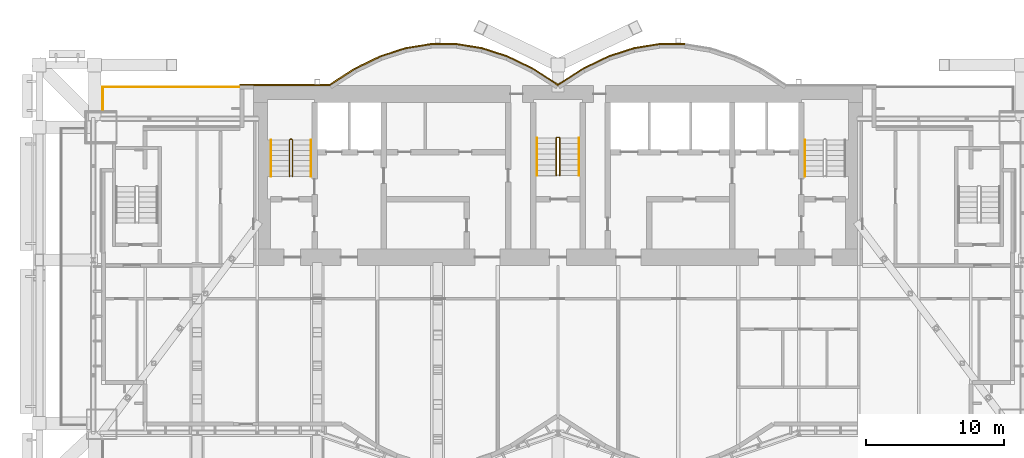
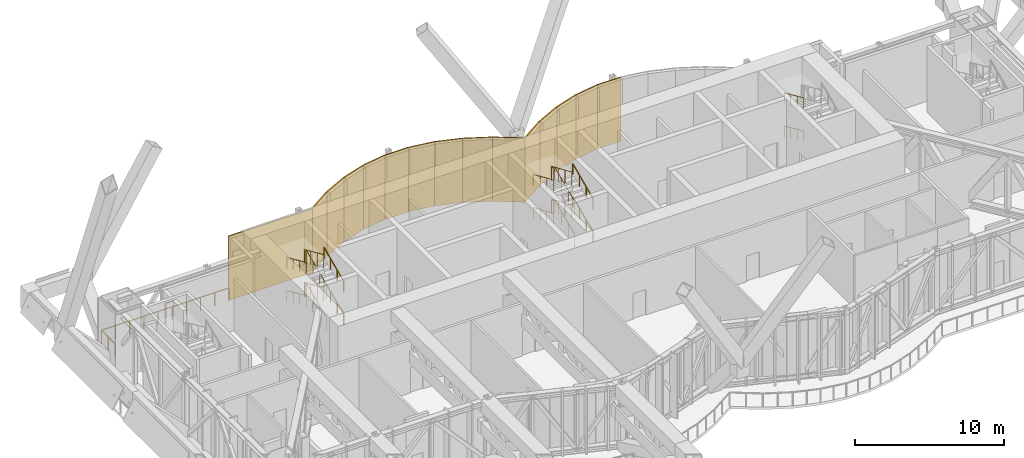
# One storey, part 29 of 30: 15 coverings, 15 railings.
"""IFC4 building model written with IfcOpenShell, lengths in metres."""

from ifc_helpers import new_model, si_unit, direction, frame, origin, origin_2d, place, context, subcontext, project, spatial, rectangle, circle, extrude, material, layer, layer_set, type_object, element, save


model = new_model("IFC4")

# Units and contexts
model_context = context("Model", 3, precision=1e-05, world=origin(), true_north=direction((0.0, 1.0)))
body_context = subcontext(model_context, "Body", "Model", "MODEL_VIEW")
ifc_project = project(units=[si_unit("LENGTHUNIT", "METRE"), si_unit("AREAUNIT", "SQUARE_METRE"), si_unit("VOLUMEUNIT", "CUBIC_METRE"), si_unit("PLANEANGLEUNIT", "RADIAN"), si_unit("MASSUNIT", "GRAM", prefix="KILO")], contexts=[model_context])

# Site, building, storey
site_placement = place(None, origin())
site = spatial("IfcSite", under=ifc_project, at=site_placement, CompositionType="ELEMENT")
building_placement = place(site_placement, origin())
building = spatial("IfcBuilding", under=site, at=building_placement, Name="Bicima Exchange Tower", CompositionType="ELEMENT")
storey_placement = place(building_placement, frame((0.0, 0.0, 287.60009765625)))
storey = spatial("IfcBuildingStorey", under=building, at=storey_placement, Name="L65", CompositionType="ELEMENT", Elevation=287.60009765625)

# Coverings
ifc_material_1 = material(Name="Bronze metal cladding")
ifc_layer_1 = layer(ifc_material_1, 0.004)
ifc_material_2 = material(Name="Ventilated cavity")
ifc_layer_2 = layer(ifc_material_2, 0.06)
ifc_material_3 = material(Name="Galvanised steel rail and mineral wool", Category="steel")
ifc_layer_3 = layer(ifc_material_3, 0.036)
ifc_layer_set = layer_set([ifc_layer_1, ifc_layer_2, ifc_layer_3], Name="Ventilated cavity")
covering_type = type_object("IfcCoveringType", Name="Bronze metal cladding panel 100", PredefinedType="CLADDING", material=ifc_layer_set)
covering_1_placement = place(storey_placement, frame((8.25, 3.012939453125, 0.0), z_axis=(0.0, 0.0, 1.0), x_axis=(-1.0, 0.0, 0.0)))
element("IfcCovering", 1, at=covering_1_placement, inside=storey, type_object=covering_type, Name="Bronze cladding L65 12.1", PredefinedType="CLADDING", context=body_context, shape_type="SweptSolid", body=[
    extrude(rectangle(XDim=1.83349609375, YDim=0.10009765625, at=origin_2d()), origin(), (0.0, 0.0, 1.0), 5.25),
])
covering_2_placement = place(storey_placement, frame((6.40869140625, 2.8642578125, 0.0), z_axis=(0.0, 0.0, 1.0), x_axis=(-0.987189786347, -0.159550386184, 0.0)))
element("IfcCovering", 2, at=covering_2_placement, inside=storey, type_object=covering_type, Name="Bronze cladding L65 13.1", PredefinedType="CLADDING", context=body_context, shape_type="SweptSolid", body=[
    extrude(rectangle(XDim=1.857177734375, YDim=0.10009765625, at=origin_2d()), origin(), (0.0, 0.0, 1.0), 5.25),
])
covering_3_placement = place(storey_placement, frame((4.568115234375, 2.41796875, 0.0), z_axis=(0.0, 0.0, 1.0), x_axis=(-0.951524642381, -0.307572519808, 0.0)))
element("IfcCovering", 3, at=covering_3_placement, inside=storey, type_object=covering_type, Name="Bronze cladding L65 14.1", PredefinedType="CLADDING", context=body_context, shape_type="SweptSolid", body=[
    extrude(rectangle(XDim=1.9267578125, YDim=0.10009765625, at=origin_2d()), origin(), (0.0, 0.0, 1.0), 5.25),
])
covering_4_placement = place(storey_placement, frame((2.728271484375, 1.674560546875, 0.0), z_axis=(0.0, 0.0, 1.0), x_axis=(-0.899818346812, -0.436264762204, 0.0)))
element("IfcCovering", 4, at=covering_4_placement, inside=storey, type_object=covering_type, Name="Bronze cladding L65 15.1", PredefinedType="CLADDING", context=body_context, shape_type="SweptSolid", body=[
    extrude(rectangle(XDim=2.03759765625, YDim=0.10009765625, at=origin_2d()), origin(), (0.0, 0.0, 1.0), 5.25),
])
for number, where, z_axis, x_axis, name in (
    (5, (0.889404296875, 0.634521484375, 0.0), (0.0, 0.0, 1.0), (-0.839790466384, -0.542910648791, 0.0), "Bronze cladding L65 16.1"),
    (6, (-0.889404296875, 0.634521484375, 0.0), (0.0, 0.0, 1.0), (-0.839790466384, 0.542910648791, 0.0), "Bronze cladding L65 17.1"),
):
    element("IfcCovering", number, at=place(storey_placement, frame(where, z_axis=z_axis, x_axis=x_axis)), inside=storey, type_object=covering_type, Name=name, PredefinedType="CLADDING", context=body_context, shape_type="SweptSolid", body=[
        extrude(rectangle(XDim=2.18310546875, YDim=0.10009765625, at=origin_2d()), origin(), (0.0, 0.0, 1.0), 5.25),
    ])
covering_5_placement = place(storey_placement, frame((-2.728271484375, 1.674560546875, 0.0), z_axis=(0.0, 0.0, 1.0), x_axis=(-0.899818346812, 0.436264762204, 0.0)))
element("IfcCovering", 7, at=covering_5_placement, inside=storey, type_object=covering_type, Name="Bronze cladding L65 18.1", PredefinedType="CLADDING", context=body_context, shape_type="SweptSolid", body=[
    extrude(rectangle(XDim=2.03759765625, YDim=0.10009765625, at=origin_2d()), origin(), (0.0, 0.0, 1.0), 5.25),
])
covering_6_placement = place(storey_placement, frame((-4.568115234375, 2.41796875, 0.0), z_axis=(0.0, 0.0, 1.0), x_axis=(-0.951524642381, 0.307572519808, 0.0)))
element("IfcCovering", 8, at=covering_6_placement, inside=storey, type_object=covering_type, Name="Bronze cladding L65 19.1", PredefinedType="CLADDING", context=body_context, shape_type="SweptSolid", body=[
    extrude(rectangle(XDim=1.9267578125, YDim=0.10009765625, at=origin_2d()), origin(), (0.0, 0.0, 1.0), 5.25),
])
covering_7_placement = place(storey_placement, frame((-6.40869140625, 2.8642578125, 0.0), z_axis=(0.0, 0.0, 1.0), x_axis=(-0.987189786347, 0.159550386184, 0.0)))
element("IfcCovering", 9, at=covering_7_placement, inside=storey, type_object=covering_type, Name="Bronze cladding L65 20.1", PredefinedType="CLADDING", context=body_context, shape_type="SweptSolid", body=[
    extrude(rectangle(XDim=1.857177734375, YDim=0.10009765625, at=origin_2d()), origin(), (0.0, 0.0, 1.0), 5.25),
])
covering_8_placement = place(storey_placement, frame((-8.25, 3.012939453125, 0.0), z_axis=(0.0, 0.0, 1.0), x_axis=(-1.0, 0.0, 0.0)))
element("IfcCovering", 10, at=covering_8_placement, inside=storey, type_object=covering_type, Name="Bronze cladding L65 21.1", PredefinedType="CLADDING", context=body_context, shape_type="SweptSolid", body=[
    extrude(rectangle(XDim=1.83349609375, YDim=0.10009765625, at=origin_2d()), origin(), (0.0, 0.0, 1.0), 5.25),
])
covering_9_placement = place(storey_placement, frame((-10.09130859375, 2.8642578125, 0.0), z_axis=(0.0, 0.0, 1.0), x_axis=(-0.987189786347, -0.159550386184, 0.0)))
element("IfcCovering", 11, at=covering_9_placement, inside=storey, type_object=covering_type, Name="Bronze cladding L65 22.1", PredefinedType="CLADDING", context=body_context, shape_type="SweptSolid", body=[
    extrude(rectangle(XDim=1.857177734375, YDim=0.10009765625, at=origin_2d()), origin(), (0.0, 0.0, 1.0), 5.25),
])
covering_10_placement = place(storey_placement, frame((-11.931884765625, 2.41796875, 0.0), z_axis=(0.0, 0.0, 1.0), x_axis=(-0.951524642381, -0.307572519808, 0.0)))
element("IfcCovering", 12, at=covering_10_placement, inside=storey, type_object=covering_type, Name="Bronze cladding L65 23.1", PredefinedType="CLADDING", context=body_context, shape_type="SweptSolid", body=[
    extrude(rectangle(XDim=1.9267578125, YDim=0.10009765625, at=origin_2d()), origin(), (0.0, 0.0, 1.0), 5.25),
])
covering_11_placement = place(storey_placement, frame((-13.771728515625, 1.674560546875, 0.0), z_axis=(0.0, 0.0, 1.0), x_axis=(-0.899818346812, -0.436264762204, 0.0)))
element("IfcCovering", 13, at=covering_11_placement, inside=storey, type_object=covering_type, Name="Bronze cladding L65 24.1", PredefinedType="CLADDING", context=body_context, shape_type="SweptSolid", body=[
    extrude(rectangle(XDim=2.03759765625, YDim=0.10009765625, at=origin_2d()), origin(), (0.0, 0.0, 1.0), 5.25),
])
covering_12_placement = place(storey_placement, frame((-15.610595703125, 0.634521484375, 0.0), z_axis=(0.0, 0.0, 1.0), x_axis=(-0.839790466384, -0.542910648791, 0.0)))
element("IfcCovering", 14, at=covering_12_placement, inside=storey, type_object=covering_type, Name="Bronze cladding L65 25.1", PredefinedType="CLADDING", context=body_context, shape_type="SweptSolid", body=[
    extrude(rectangle(XDim=2.18310546875, YDim=0.10009765625, at=origin_2d()), origin(), (0.0, 0.0, 1.0), 5.25),
])
covering_13_placement = place(storey_placement, frame((-19.75, 0.050048828125, 0.0), z_axis=(0.0, 0.0, 1.0), x_axis=(-1.0, 0.0, 0.0)))
element("IfcCovering", 15, at=covering_13_placement, inside=storey, type_object=covering_type, Name="Bronze cladding L65 26.1", PredefinedType="CLADDING", context=body_context, shape_type="SweptSolid", body=[
    extrude(rectangle(XDim=6.5, YDim=0.10009765625, at=origin_2d()), origin(), (0.0, 0.0, 1.0), 5.25),
])

# Railings
ifc_material_4 = material(Name="Stainless steel", Category="steel")
railing_type_1 = type_object("IfcRailingType", Name="Stair guard 1100", PredefinedType="GUARDRAIL", material=ifc_material_4)
railing_1_placement = place(storey_placement, frame((-19.199951171875, -6.550048828125, 0.168701171875)))
element("IfcRailing", 16, at=railing_1_placement, inside=storey, type_object=railing_type_1, Name="L65 ST-W stair guard 1", PredefinedType="GUARDRAIL", context=body_context, shape_type="SweptSolid", body=[
    extrude(circle(Radius=0.02392578125, at=origin_2d()), frame((0.0, 0.0, 1.076171875), z_axis=(0.0, 0.912233369549, 0.409670940488), x_axis=(-1.0, 0.0, 0.0)), (0.0, 0.0, 1.0), 2.883056640625),
    extrude(circle(Radius=0.02392578125, at=origin_2d()), frame((0.0, 2.630126953125, 2.25732421875), z_axis=(-0.708833529934, 0.705375805398, 0.0), x_axis=(-0.705375805398, -0.708833529934, 0.0)), (0.0, 0.0, 1.0), 0.070556640625),
    extrude(circle(Radius=0.02392578125, at=origin_2d()), frame((-0.050048828125, 2.679931640625, 2.25732421875), z_axis=(-1.0, 0.0, 0.0), x_axis=(0.0, -1.0, 0.0)), (0.0, 0.0, 1.0), 0.10009765625),
    extrude(circle(Radius=0.02392578125, at=origin_2d()), frame((-0.150146484375, 2.679931640625, 2.25732421875), z_axis=(-0.272433089069, -0.272433089069, 0.922800316407), x_axis=(0.707106781187, -0.707106781187, 0.0)), (0.0, 0.0, 1.0), 0.182861328125),
    extrude(circle(Radius=0.02392578125, at=origin_2d()), frame((-0.199951171875, 2.630126953125, 2.42578125), z_axis=(0.0, -0.912201722539, 0.409741403079), x_axis=(1.0, 0.0, 0.0)), (0.0, 0.0, 1.0), 2.88330078125),
    extrude(circle(Radius=0.02099609375, at=origin_2d()), origin(), (0.0, 0.0, 1.0), 1.052001953125),
    extrude(circle(Radius=0.02099609375, at=origin_2d()), frame((0.0, 0.876708984375, 0.393798828125)), (0.0, 0.0, 1.0), 1.052001953125),
    extrude(circle(Radius=0.02099609375, at=origin_2d()), frame((0.0, 1.75341796875, 0.787353515625)), (0.0, 0.0, 1.0), 1.052001953125),
    extrude(circle(Radius=0.02099609375, at=origin_2d()), frame((0.0, 2.630126953125, 1.18115234375)), (0.0, 0.0, 1.0), 1.052001953125),
    extrude(circle(Radius=0.02099609375, at=origin_2d()), frame((-0.050048828125, 2.679931640625, 1.18115234375)), (0.0, 0.0, 1.0), 1.052001953125),
    extrude(circle(Radius=0.02099609375, at=origin_2d()), frame((-0.150146484375, 2.679931640625, 1.18115234375)), (0.0, 0.0, 1.0), 1.052001953125),
    extrude(circle(Radius=0.02099609375, at=origin_2d()), frame((-0.199951171875, 2.630126953125, 1.349853515625)), (0.0, 0.0, 1.0), 1.052001953125),
    extrude(circle(Radius=0.02099609375, at=origin_2d()), frame((-0.199951171875, 1.75341796875, 1.74365234375)), (0.0, 0.0, 1.0), 1.052001953125),
    extrude(circle(Radius=0.02099609375, at=origin_2d()), frame((-0.199951171875, 0.876708984375, 2.137451171875)), (0.0, 0.0, 1.0), 1.052001953125),
    extrude(circle(Radius=0.02099609375, at=origin_2d()), frame((-0.199951171875, 0.0, 2.53125)), (0.0, 0.0, 1.0), 1.052001953125),
])
railing_2_placement = place(storey_placement, frame((-19.199951171875, -6.550048828125, 2.86865234375)))
element("IfcRailing", 17, at=railing_2_placement, inside=storey, type_object=railing_type_1, Name="L65 ST-W stair guard 2", PredefinedType="GUARDRAIL", context=body_context, shape_type="SweptSolid", body=[
    extrude(circle(Radius=0.02392578125, at=origin_2d()), frame((0.0, 0.0, 1.076171875), z_axis=(0.0, 0.912233369549, 0.409670940488), x_axis=(-1.0, 0.0, 0.0)), (0.0, 0.0, 1.0), 2.883056640625),
    extrude(circle(Radius=0.02392578125, at=origin_2d()), frame((0.0, 2.630126953125, 2.25732421875), z_axis=(-0.708833529934, 0.705375805398, 0.0), x_axis=(-0.705375805398, -0.708833529934, 0.0)), (0.0, 0.0, 1.0), 0.070556640625),
    extrude(circle(Radius=0.02392578125, at=origin_2d()), frame((-0.050048828125, 2.679931640625, 2.25732421875), z_axis=(-1.0, 0.0, 0.0), x_axis=(0.0, -1.0, 0.0)), (0.0, 0.0, 1.0), 0.10009765625),
    extrude(circle(Radius=0.02392578125, at=origin_2d()), frame((-0.150146484375, 2.679931640625, 2.25732421875), z_axis=(-0.27209773087, -0.27209773087, 0.922998185107), x_axis=(0.707106781187, -0.707106781187, 0.0)), (0.0, 0.0, 1.0), 0.18310546875),
    extrude(circle(Radius=0.02392578125, at=origin_2d()), frame((-0.199951171875, 2.630126953125, 2.42626953125), z_axis=(0.0, -0.912233369549, 0.409670940488), x_axis=(1.0, 0.0, 0.0)), (0.0, 0.0, 1.0), 2.883056640625),
    extrude(circle(Radius=0.02099609375, at=origin_2d()), origin(), (0.0, 0.0, 1.0), 1.052001953125),
    extrude(circle(Radius=0.02099609375, at=origin_2d()), frame((0.0, 0.876708984375, 0.393798828125)), (0.0, 0.0, 1.0), 1.052001953125),
    extrude(circle(Radius=0.02099609375, at=origin_2d()), frame((0.0, 1.75341796875, 0.787353515625)), (0.0, 0.0, 1.0), 1.052001953125),
    extrude(circle(Radius=0.02099609375, at=origin_2d()), frame((0.0, 2.630126953125, 1.18115234375)), (0.0, 0.0, 1.0), 1.052001953125),
    extrude(circle(Radius=0.02099609375, at=origin_2d()), frame((-0.050048828125, 2.679931640625, 1.18115234375)), (0.0, 0.0, 1.0), 1.052001953125),
    extrude(circle(Radius=0.02099609375, at=origin_2d()), frame((-0.150146484375, 2.679931640625, 1.18115234375)), (0.0, 0.0, 1.0), 1.052001953125),
    extrude(circle(Radius=0.02099609375, at=origin_2d()), frame((-0.199951171875, 2.630126953125, 1.35009765625)), (0.0, 0.0, 1.0), 1.052001953125),
    extrude(circle(Radius=0.02099609375, at=origin_2d()), frame((-0.199951171875, 1.75341796875, 1.743896484375)), (0.0, 0.0, 1.0), 1.052001953125),
    extrude(circle(Radius=0.02099609375, at=origin_2d()), frame((-0.199951171875, 0.876708984375, 2.137451171875)), (0.0, 0.0, 1.0), 1.052001953125),
    extrude(circle(Radius=0.02099609375, at=origin_2d()), frame((-0.199951171875, 0.0, 2.53125)), (0.0, 0.0, 1.0), 1.052001953125),
])
railing_3_placement = place(storey_placement, frame((0.125, -6.5, 0.168701171875)))
element("IfcRailing", 18, at=railing_3_placement, inside=storey, type_object=railing_type_1, Name="L65 ST-C stair guard 1", PredefinedType="GUARDRAIL", context=body_context, shape_type="SweptSolid", body=[
    extrude(circle(Radius=0.02392578125, at=origin_2d()), frame((0.0, 0.0, 1.076171875), z_axis=(0.0, 0.917247977502, 0.398316642595), x_axis=(-1.0, 0.0, 0.0)), (0.0, 0.0, 1.0), 2.96533203125),
    extrude(circle(Radius=0.02392578125, at=origin_2d()), frame((0.0, 2.719970703125, 2.25732421875), z_axis=(-0.707106781187, 0.707106781187, 0.0), x_axis=(-0.707106781187, -0.707106781187, 0.0)), (0.0, 0.0, 1.0), 0.07080078125),
    extrude(circle(Radius=0.02392578125, at=origin_2d()), frame((-0.050048828125, 2.77001953125, 2.25732421875), z_axis=(-1.0, 0.0, 0.0), x_axis=(0.0, -1.0, 0.0)), (0.0, 0.0, 1.0), 0.14990234375),
    extrude(circle(Radius=0.02392578125, at=origin_2d()), frame((-0.199951171875, 2.77001953125, 2.25732421875), z_axis=(-0.273569069059, -0.273569069059, 0.922127935218), x_axis=(0.707106781187, -0.707106781187, 0.0)), (0.0, 0.0, 1.0), 0.182861328125),
    extrude(circle(Radius=0.02392578125, at=origin_2d()), frame((-0.25, 2.719970703125, 2.42578125), z_axis=(0.0, -0.917217895875, 0.398385907741), x_axis=(1.0, 0.0, 0.0)), (0.0, 0.0, 1.0), 2.965576171875),
    extrude(circle(Radius=0.02099609375, at=origin_2d()), origin(), (0.0, 0.0, 1.0), 1.052001953125),
    extrude(circle(Radius=0.02099609375, at=origin_2d()), frame((0.0, 0.90673828125, 0.393798828125)), (0.0, 0.0, 1.0), 1.052001953125),
    extrude(circle(Radius=0.02099609375, at=origin_2d()), frame((0.0, 1.813232421875, 0.787353515625)), (0.0, 0.0, 1.0), 1.052001953125),
    extrude(circle(Radius=0.02099609375, at=origin_2d()), frame((0.0, 2.719970703125, 1.18115234375)), (0.0, 0.0, 1.0), 1.052001953125),
    extrude(circle(Radius=0.02099609375, at=origin_2d()), frame((-0.050048828125, 2.77001953125, 1.18115234375)), (0.0, 0.0, 1.0), 1.052001953125),
    extrude(circle(Radius=0.02099609375, at=origin_2d()), frame((-0.199951171875, 2.77001953125, 1.18115234375)), (0.0, 0.0, 1.0), 1.052001953125),
    extrude(circle(Radius=0.02099609375, at=origin_2d()), frame((-0.25, 2.719970703125, 1.349853515625)), (0.0, 0.0, 1.0), 1.052001953125),
    extrude(circle(Radius=0.02099609375, at=origin_2d()), frame((-0.25, 1.813232421875, 1.74365234375)), (0.0, 0.0, 1.0), 1.052001953125),
    extrude(circle(Radius=0.02099609375, at=origin_2d()), frame((-0.25, 0.90673828125, 2.137451171875)), (0.0, 0.0, 1.0), 1.052001953125),
    extrude(circle(Radius=0.02099609375, at=origin_2d()), frame((-0.25, 0.0, 2.53125)), (0.0, 0.0, 1.0), 1.052001953125),
])
railing_4_placement = place(storey_placement, frame((0.125, -6.5, 2.86865234375)))
element("IfcRailing", 19, at=railing_4_placement, inside=storey, type_object=railing_type_1, Name="L65 ST-C stair guard 2", PredefinedType="GUARDRAIL", context=body_context, shape_type="SweptSolid", body=[
    extrude(circle(Radius=0.02392578125, at=origin_2d()), frame((0.0, 0.0, 1.076171875), z_axis=(0.0, 0.917247977502, 0.398316642595), x_axis=(-1.0, 0.0, 0.0)), (0.0, 0.0, 1.0), 2.96533203125),
    extrude(circle(Radius=0.02392578125, at=origin_2d()), frame((0.0, 2.719970703125, 2.25732421875), z_axis=(-0.707106781187, 0.707106781187, 0.0), x_axis=(-0.707106781187, -0.707106781187, 0.0)), (0.0, 0.0, 1.0), 0.07080078125),
    extrude(circle(Radius=0.02392578125, at=origin_2d()), frame((-0.050048828125, 2.77001953125, 2.25732421875), z_axis=(-1.0, 0.0, 0.0), x_axis=(0.0, -1.0, 0.0)), (0.0, 0.0, 1.0), 0.14990234375),
    extrude(circle(Radius=0.02392578125, at=origin_2d()), frame((-0.199951171875, 2.77001953125, 2.25732421875), z_axis=(-0.273232802156, -0.273232802156, 0.922327312645), x_axis=(0.707106781187, -0.707106781187, 0.0)), (0.0, 0.0, 1.0), 0.18310546875),
    extrude(circle(Radius=0.02392578125, at=origin_2d()), frame((-0.25, 2.719970703125, 2.42626953125), z_axis=(0.0, -0.917247977502, 0.398316642595), x_axis=(1.0, 0.0, 0.0)), (0.0, 0.0, 1.0), 2.96533203125),
    extrude(circle(Radius=0.02099609375, at=origin_2d()), origin(), (0.0, 0.0, 1.0), 1.052001953125),
    extrude(circle(Radius=0.02099609375, at=origin_2d()), frame((0.0, 0.90673828125, 0.393798828125)), (0.0, 0.0, 1.0), 1.052001953125),
    extrude(circle(Radius=0.02099609375, at=origin_2d()), frame((0.0, 1.813232421875, 0.787353515625)), (0.0, 0.0, 1.0), 1.052001953125),
    extrude(circle(Radius=0.02099609375, at=origin_2d()), frame((0.0, 2.719970703125, 1.18115234375)), (0.0, 0.0, 1.0), 1.052001953125),
    extrude(circle(Radius=0.02099609375, at=origin_2d()), frame((-0.050048828125, 2.77001953125, 1.18115234375)), (0.0, 0.0, 1.0), 1.052001953125),
    extrude(circle(Radius=0.02099609375, at=origin_2d()), frame((-0.199951171875, 2.77001953125, 1.18115234375)), (0.0, 0.0, 1.0), 1.052001953125),
    extrude(circle(Radius=0.02099609375, at=origin_2d()), frame((-0.25, 2.719970703125, 1.35009765625)), (0.0, 0.0, 1.0), 1.052001953125),
    extrude(circle(Radius=0.02099609375, at=origin_2d()), frame((-0.25, 1.813232421875, 1.743896484375)), (0.0, 0.0, 1.0), 1.052001953125),
    extrude(circle(Radius=0.02099609375, at=origin_2d()), frame((-0.25, 0.90673828125, 2.137451171875)), (0.0, 0.0, 1.0), 1.052001953125),
    extrude(circle(Radius=0.02099609375, at=origin_2d()), frame((-0.25, 0.0, 2.53125)), (0.0, 0.0, 1.0), 1.052001953125),
])
railing_type_2 = type_object("IfcRailingType", Name="Stair handrail 900", PredefinedType="HANDRAIL", material=ifc_material_4)
railing_5_placement = place(storey_placement, frame((-17.85009765625, -6.550048828125, 0.168701171875)))
element("IfcRailing", 20, at=railing_5_placement, inside=storey, type_object=railing_type_2, Name="L65 ST-W stair handrail 1", PredefinedType="HANDRAIL", context=body_context, shape_type="SweptSolid", body=[
    extrude(circle(Radius=0.02392578125, at=origin_2d()), frame((0.0, 0.0, 0.8759765625), z_axis=(0.0, 0.912233369549, 0.409670940488), x_axis=(-1.0, 0.0, 0.0)), (0.0, 0.0, 1.0), 2.883056640625),
    extrude(circle(Radius=0.02099609375, at=origin_2d()), origin(), (0.0, 0.0, 1.0), 0.851806640625),
    extrude(circle(Radius=0.02099609375, at=origin_2d()), frame((0.0, 0.876708984375, 0.393798828125)), (0.0, 0.0, 1.0), 0.851806640625),
    extrude(circle(Radius=0.02099609375, at=origin_2d()), frame((0.0, 1.75341796875, 0.787353515625)), (0.0, 0.0, 1.0), 0.851806640625),
    extrude(circle(Radius=0.02099609375, at=origin_2d()), frame((0.0, 2.630126953125, 1.18115234375)), (0.0, 0.0, 1.0), 0.851806640625),
])
railing_6_placement = place(storey_placement, frame((-20.75, -3.919921875, 1.5185546875)))
element("IfcRailing", 21, at=railing_6_placement, inside=storey, type_object=railing_type_2, Name="L65 ST-W stair handrail 2", PredefinedType="HANDRAIL", context=body_context, shape_type="SweptSolid", body=[
    extrude(circle(Radius=0.02392578125, at=origin_2d()), frame((0.0, 0.0, 0.8759765625), z_axis=(0.0, -0.912201722539, 0.409741403079), x_axis=(1.0, 0.0, 0.0)), (0.0, 0.0, 1.0), 2.88330078125),
    extrude(circle(Radius=0.02099609375, at=origin_2d()), origin(), (0.0, 0.0, 1.0), 0.851806640625),
    extrude(circle(Radius=0.02099609375, at=origin_2d()), frame((0.0, -0.876708984375, 0.393798828125)), (0.0, 0.0, 1.0), 0.851806640625),
    extrude(circle(Radius=0.02099609375, at=origin_2d()), frame((0.0, -1.75341796875, 0.78759765625)), (0.0, 0.0, 1.0), 0.851806640625),
    extrude(circle(Radius=0.02099609375, at=origin_2d()), frame((0.0, -2.630126953125, 1.181396484375)), (0.0, 0.0, 1.0), 0.851806640625),
])
railing_7_placement = place(storey_placement, frame((-17.85009765625, -6.550048828125, 2.86865234375)))
element("IfcRailing", 22, at=railing_7_placement, inside=storey, type_object=railing_type_2, Name="L65 ST-W stair handrail 3", PredefinedType="HANDRAIL", context=body_context, shape_type="SweptSolid", body=[
    extrude(circle(Radius=0.02392578125, at=origin_2d()), frame((0.0, 0.0, 0.8759765625), z_axis=(0.0, 0.912233369549, 0.409670940488), x_axis=(-1.0, 0.0, 0.0)), (0.0, 0.0, 1.0), 2.883056640625),
    extrude(circle(Radius=0.02099609375, at=origin_2d()), origin(), (0.0, 0.0, 1.0), 0.851806640625),
    extrude(circle(Radius=0.02099609375, at=origin_2d()), frame((0.0, 0.876708984375, 0.393798828125)), (0.0, 0.0, 1.0), 0.851806640625),
    extrude(circle(Radius=0.02099609375, at=origin_2d()), frame((0.0, 1.75341796875, 0.787353515625)), (0.0, 0.0, 1.0), 0.851806640625),
    extrude(circle(Radius=0.02099609375, at=origin_2d()), frame((0.0, 2.630126953125, 1.18115234375)), (0.0, 0.0, 1.0), 0.851806640625),
])
railing_8_placement = place(storey_placement, frame((-20.75, -3.919921875, 4.241455078125)))
element("IfcRailing", 23, at=railing_8_placement, inside=storey, type_object=railing_type_2, Name="L65 ST-W stair handrail 4", PredefinedType="HANDRAIL", context=body_context, shape_type="SweptSolid", body=[
    extrude(circle(Radius=0.02392578125, at=origin_2d()), frame((0.0, 0.0, 0.8759765625), z_axis=(0.0, -0.912233369549, 0.409670940488), x_axis=(1.0, 0.0, 0.0)), (0.0, 0.0, 1.0), 2.883056640625),
    extrude(circle(Radius=0.02099609375, at=origin_2d()), origin(), (0.0, 0.0, 1.0), 0.851806640625),
    extrude(circle(Radius=0.02099609375, at=origin_2d()), frame((0.0, -0.876708984375, 0.393798828125)), (0.0, 0.0, 1.0), 0.851806640625),
    extrude(circle(Radius=0.02099609375, at=origin_2d()), frame((0.0, -1.75341796875, 0.787353515625)), (0.0, 0.0, 1.0), 0.851806640625),
    extrude(circle(Radius=0.02099609375, at=origin_2d()), frame((0.0, -2.630126953125, 1.18115234375)), (0.0, 0.0, 1.0), 0.851806640625),
])
railing_9_placement = place(storey_placement, frame((1.52490234375, -6.5, 0.168701171875)))
element("IfcRailing", 24, at=railing_9_placement, inside=storey, type_object=railing_type_2, Name="L65 ST-C stair handrail 1", PredefinedType="HANDRAIL", context=body_context, shape_type="SweptSolid", body=[
    extrude(circle(Radius=0.02392578125, at=origin_2d()), frame((0.0, 0.0, 0.8759765625), z_axis=(0.0, 0.917247977502, 0.398316642595), x_axis=(-1.0, 0.0, 0.0)), (0.0, 0.0, 1.0), 2.96533203125),
    extrude(circle(Radius=0.02099609375, at=origin_2d()), origin(), (0.0, 0.0, 1.0), 0.851806640625),
    extrude(circle(Radius=0.02099609375, at=origin_2d()), frame((0.0, 0.90673828125, 0.393798828125)), (0.0, 0.0, 1.0), 0.851806640625),
    extrude(circle(Radius=0.02099609375, at=origin_2d()), frame((0.0, 1.813232421875, 0.787353515625)), (0.0, 0.0, 1.0), 0.851806640625),
    extrude(circle(Radius=0.02099609375, at=origin_2d()), frame((0.0, 2.719970703125, 1.18115234375)), (0.0, 0.0, 1.0), 0.851806640625),
])
railing_10_placement = place(storey_placement, frame((-1.52490234375, -3.780029296875, 1.5185546875)))
element("IfcRailing", 25, at=railing_10_placement, inside=storey, type_object=railing_type_2, Name="L65 ST-C stair handrail 2", PredefinedType="HANDRAIL", context=body_context, shape_type="SweptSolid", body=[
    extrude(circle(Radius=0.02392578125, at=origin_2d()), frame((0.0, 0.0, 0.8759765625), z_axis=(0.0, -0.917217895875, 0.398385907741), x_axis=(1.0, 0.0, 0.0)), (0.0, 0.0, 1.0), 2.965576171875),
    extrude(circle(Radius=0.02099609375, at=origin_2d()), origin(), (0.0, 0.0, 1.0), 0.851806640625),
    extrude(circle(Radius=0.02099609375, at=origin_2d()), frame((0.0, -0.90673828125, 0.393798828125)), (0.0, 0.0, 1.0), 0.851806640625),
    extrude(circle(Radius=0.02099609375, at=origin_2d()), frame((0.0, -1.813232421875, 0.78759765625)), (0.0, 0.0, 1.0), 0.851806640625),
    extrude(circle(Radius=0.02099609375, at=origin_2d()), frame((0.0, -2.719970703125, 1.181396484375)), (0.0, 0.0, 1.0), 0.851806640625),
])
railing_11_placement = place(storey_placement, frame((1.52490234375, -6.5, 2.86865234375)))
element("IfcRailing", 26, at=railing_11_placement, inside=storey, type_object=railing_type_2, Name="L65 ST-C stair handrail 3", PredefinedType="HANDRAIL", context=body_context, shape_type="SweptSolid", body=[
    extrude(circle(Radius=0.02392578125, at=origin_2d()), frame((0.0, 0.0, 0.8759765625), z_axis=(0.0, 0.917247977502, 0.398316642595), x_axis=(-1.0, 0.0, 0.0)), (0.0, 0.0, 1.0), 2.96533203125),
    extrude(circle(Radius=0.02099609375, at=origin_2d()), origin(), (0.0, 0.0, 1.0), 0.851806640625),
    extrude(circle(Radius=0.02099609375, at=origin_2d()), frame((0.0, 0.90673828125, 0.393798828125)), (0.0, 0.0, 1.0), 0.851806640625),
    extrude(circle(Radius=0.02099609375, at=origin_2d()), frame((0.0, 1.813232421875, 0.787353515625)), (0.0, 0.0, 1.0), 0.851806640625),
    extrude(circle(Radius=0.02099609375, at=origin_2d()), frame((0.0, 2.719970703125, 1.18115234375)), (0.0, 0.0, 1.0), 0.851806640625),
])
railing_12_placement = place(storey_placement, frame((-1.52490234375, -3.780029296875, 4.241455078125)))
element("IfcRailing", 27, at=railing_12_placement, inside=storey, type_object=railing_type_2, Name="L65 ST-C stair handrail 4", PredefinedType="HANDRAIL", context=body_context, shape_type="SweptSolid", body=[
    extrude(circle(Radius=0.02392578125, at=origin_2d()), frame((0.0, 0.0, 0.8759765625), z_axis=(0.0, -0.917247977502, 0.398316642595), x_axis=(1.0, 0.0, 0.0)), (0.0, 0.0, 1.0), 2.96533203125),
    extrude(circle(Radius=0.02099609375, at=origin_2d()), origin(), (0.0, 0.0, 1.0), 0.851806640625),
    extrude(circle(Radius=0.02099609375, at=origin_2d()), frame((0.0, -0.90673828125, 0.393798828125)), (0.0, 0.0, 1.0), 0.851806640625),
    extrude(circle(Radius=0.02099609375, at=origin_2d()), frame((0.0, -1.813232421875, 0.787353515625)), (0.0, 0.0, 1.0), 0.851806640625),
    extrude(circle(Radius=0.02099609375, at=origin_2d()), frame((0.0, -2.719970703125, 1.18115234375)), (0.0, 0.0, 1.0), 0.851806640625),
])
railing_13_placement = place(storey_placement, frame((17.85009765625, -3.919921875, 1.5185546875)))
element("IfcRailing", 28, at=railing_13_placement, inside=storey, type_object=railing_type_2, Name="L65 ST-E stair handrail 2", PredefinedType="HANDRAIL", context=body_context, shape_type="SweptSolid", body=[
    extrude(circle(Radius=0.02392578125, at=origin_2d()), frame((0.0, 0.0, 0.8759765625), z_axis=(0.0, -0.912201722539, 0.409741403079), x_axis=(1.0, 0.0, 0.0)), (0.0, 0.0, 1.0), 2.88330078125),
    extrude(circle(Radius=0.02099609375, at=origin_2d()), origin(), (0.0, 0.0, 1.0), 0.851806640625),
    extrude(circle(Radius=0.02099609375, at=origin_2d()), frame((0.0, -0.876708984375, 0.393798828125)), (0.0, 0.0, 1.0), 0.851806640625),
    extrude(circle(Radius=0.02099609375, at=origin_2d()), frame((0.0, -1.75341796875, 0.78759765625)), (0.0, 0.0, 1.0), 0.851806640625),
    extrude(circle(Radius=0.02099609375, at=origin_2d()), frame((0.0, -2.630126953125, 1.181396484375)), (0.0, 0.0, 1.0), 0.851806640625),
])
railing_14_placement = place(storey_placement, frame((17.85009765625, -3.919921875, 4.241455078125)))
element("IfcRailing", 29, at=railing_14_placement, inside=storey, type_object=railing_type_2, Name="L65 ST-E stair handrail 4", PredefinedType="HANDRAIL", context=body_context, shape_type="SweptSolid", body=[
    extrude(circle(Radius=0.02392578125, at=origin_2d()), frame((0.0, 0.0, 0.8759765625), z_axis=(0.0, -0.912233369549, 0.409670940488), x_axis=(1.0, 0.0, 0.0)), (0.0, 0.0, 1.0), 2.883056640625),
    extrude(circle(Radius=0.02099609375, at=origin_2d()), origin(), (0.0, 0.0, 1.0), 0.851806640625),
    extrude(circle(Radius=0.02099609375, at=origin_2d()), frame((0.0, -0.876708984375, 0.393798828125)), (0.0, 0.0, 1.0), 0.851806640625),
    extrude(circle(Radius=0.02099609375, at=origin_2d()), frame((0.0, -1.75341796875, 0.787353515625)), (0.0, 0.0, 1.0), 0.851806640625),
    extrude(circle(Radius=0.02099609375, at=origin_2d()), frame((0.0, -2.630126953125, 1.18115234375)), (0.0, 0.0, 1.0), 0.851806640625),
])
ifc_material_5 = material(Name="Stainless steel and bonded safety glass", Category="steel")
railing_type_3 = type_object("IfcRailingType", Name="Terrace guard 1100", PredefinedType="GUARDRAIL", material=ifc_material_5)
railing_15_placement = place(storey_placement, frame((-32.919921875, -1.89990234375, 0.0)))
element("IfcRailing", 30, at=railing_15_placement, inside=storey, type_object=railing_type_3, Name="Terrace guard L65 2", PredefinedType="GUARDRAIL", context=body_context, shape_type="SweptSolid", body=[
    extrude(circle(Radius=0.02392578125, at=origin_2d()), frame((0.0, 0.0, 1.076171875), z_axis=(0.0, 1.0, 0.0), x_axis=(-1.0, 0.0, 0.0)), (0.0, 0.0, 1.0), 1.81982421875),
    extrude(circle(Radius=0.02392578125, at=origin_2d()), frame((0.0, 1.81982421875, 1.076171875), z_axis=(1.0, 0.0, 0.0), x_axis=(0.0, 1.0, 0.0)), (0.0, 0.0, 1.0), 9.89990234375),
    extrude(circle(Radius=0.02099609375, at=origin_2d()), origin(), (0.0, 0.0, 1.0), 1.052001953125),
    extrude(circle(Radius=0.02099609375, at=origin_2d()), frame((0.0, 0.909912109375, 0.0)), (0.0, 0.0, 1.0), 1.052001953125),
    extrude(circle(Radius=0.02099609375, at=origin_2d()), frame((0.0, 1.81982421875, 0.0)), (0.0, 0.0, 1.0), 1.052001953125),
    extrude(circle(Radius=0.02099609375, at=origin_2d()), frame((1.10009765625, 1.81982421875, 0.0)), (0.0, 0.0, 1.0), 1.052001953125),
    extrude(circle(Radius=0.02099609375, at=origin_2d()), frame((2.199951171875, 1.81982421875, 0.0)), (0.0, 0.0, 1.0), 1.052001953125),
    extrude(circle(Radius=0.02099609375, at=origin_2d()), frame((3.300048828125, 1.81982421875, 0.0)), (0.0, 0.0, 1.0), 1.052001953125),
    extrude(circle(Radius=0.02099609375, at=origin_2d()), frame((4.39990234375, 1.81982421875, 0.0)), (0.0, 0.0, 1.0), 1.052001953125),
    extrude(circle(Radius=0.02099609375, at=origin_2d()), frame((5.5, 1.81982421875, 0.0)), (0.0, 0.0, 1.0), 1.052001953125),
    extrude(circle(Radius=0.02099609375, at=origin_2d()), frame((6.599853515625, 1.81982421875, 0.0)), (0.0, 0.0, 1.0), 1.052001953125),
    extrude(circle(Radius=0.02099609375, at=origin_2d()), frame((7.699951171875, 1.81982421875, 0.0)), (0.0, 0.0, 1.0), 1.052001953125),
    extrude(circle(Radius=0.02099609375, at=origin_2d()), frame((8.7998046875, 1.81982421875, 0.0)), (0.0, 0.0, 1.0), 1.052001953125),
    extrude(circle(Radius=0.02099609375, at=origin_2d()), frame((9.89990234375, 1.81982421875, 0.0)), (0.0, 0.0, 1.0), 1.052001953125),
])

save(model, "model.ifc")
